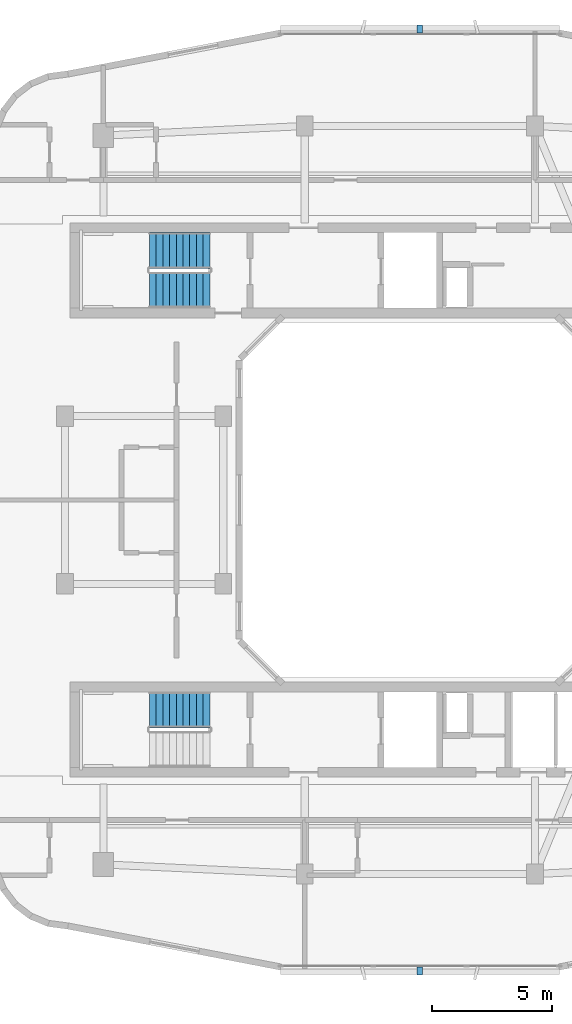
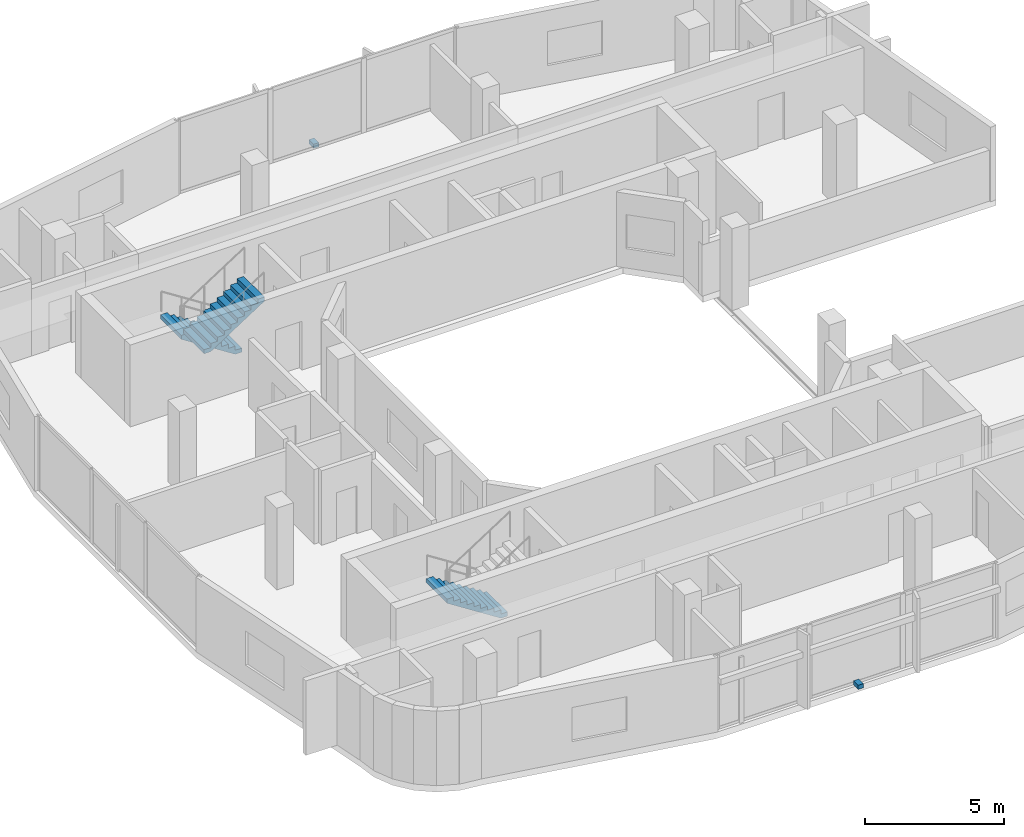
# One storey, part 8 of 12: 3 stair flights, 2 discrete accessories, 2 elements without a shape of their own.
"""IFC4 building model written with IfcOpenShell, lengths in metres."""

from ifc_helpers import new_model, si_unit, derived_unit, direction, frame, origin, origin_2d, place, context, subcontext, project, spatial, polyline, rectangle, outline, extrude, material, type_object, element, aggregate, save


model = new_model("IFC4")

# Units and contexts
model_context = context("Model", 3, precision=1e-05, world=origin(), true_north=direction((0.0, 1.0)))
body_context = subcontext(model_context, "Body", "Model", "MODEL_VIEW")
ifc_project = project(units=[si_unit("LENGTHUNIT", "METRE"), si_unit("AREAUNIT", "SQUARE_METRE"), si_unit("VOLUMEUNIT", "CUBIC_METRE"), si_unit("PLANEANGLEUNIT", "RADIAN"), si_unit("MASSUNIT", "GRAM", prefix="KILO"), derived_unit("THERMALTRANSMITTANCEUNIT", [(si_unit("POWERUNIT", "WATT"), 1), (si_unit("LENGTHUNIT", "METRE"), -2), (si_unit("THERMODYNAMICTEMPERATUREUNIT", "KELVIN"), -1)])], contexts=[model_context])

# Site, building, storey
site_placement = place(None, origin())
site = spatial("IfcSite", under=ifc_project, at=site_placement, CompositionType="ELEMENT")
building_placement = place(site_placement, origin())
building = spatial("IfcBuilding", under=site, at=building_placement, Name="Kivonza Crest Hotel", CompositionType="ELEMENT")
storey_placement = place(building_placement, frame((0.0, 0.0, 195.5)))
storey = spatial("IfcBuildingStorey", under=building, at=storey_placement, Name="L53", CompositionType="ELEMENT", Elevation=195.5)

# Stair, stair flights
ifc_material_1 = material(Name="Concrete C40/50", Category="concrete")
stair_type = type_object("IfcStairType", Name="ST-DL-20R", PredefinedType="HALF_TURN_STAIR", material=ifc_material_1)
stair_1_placement = place(storey_placement, origin())
stair_1 = element("IfcStair", 1, at=stair_1_placement, inside=storey, type_object=stair_type, Name="L53 Protected Exit Stair ST-T1-N", PredefinedType="HALF_TURN_STAIR")
stair_flight_type = type_object("IfcStairFlightType", Name="SFL-RC-10R", PredefinedType="STRAIGHT", material=ifc_material_1)
stair_flight_1_placement = place(storey_placement, frame((12.239990234375, 35.409912109375, 0.0), z_axis=(0.0, 0.0, 1.0), x_axis=(-1.0, 0.0, 0.0)))
stair_flight_1 = element("IfcStairFlight", 2, at=stair_flight_1_placement, type_object=stair_flight_type, Name="ST-T1-N flight 1", NumberOfRisers=10, NumberOfTreads=9, PredefinedType="STRAIGHT", RiserHeight=0.18, TreadLength=0.28, context=body_context, shape_type="SweptSolid", body=[
    extrude(outline(polyline([(0.0, 0.0), (0.0, 0.179931640625), (0.280029296875, 0.179931640625), (0.280029296875, 0.360107421875), (0.56005859375, 0.360107421875), (0.56005859375, 0.5400390625), (0.840087890625, 0.5400390625), (0.840087890625, 0.719970703125), (1.1201171875, 0.719970703125), (1.1201171875, 0.89990234375), (1.39990234375, 0.89990234375), (1.39990234375, 1.080078125), (1.679931640625, 1.080078125), (1.679931640625, 1.260009765625), (1.9599609375, 1.260009765625), (1.9599609375, 1.43994140625), (2.239990234375, 1.43994140625), (2.239990234375, 1.6201171875), (2.52001953125, 1.6201171875), (2.52001953125, 1.800048828125), (2.52001953125, 1.44189453125), (0.277099609375, 0.0), (0.0, 0.0)])), frame((0.0, 0.75, 0.0), z_axis=(0.0, -1.0, 0.0), x_axis=(1.0, 0.0, 0.0)), (0.0, 0.0, 1.0), 1.5),
])
stair_flight_2_placement = place(storey_placement, frame((9.719970703125, 33.77001953125, 1.800048828125), z_axis=(0.0, 0.0, 1.0), x_axis=(1.0, 0.0, 0.0)))
stair_flight_2 = element("IfcStairFlight", 3, at=stair_flight_2_placement, type_object=stair_flight_type, Name="ST-T1-N flight 2", NumberOfRisers=10, NumberOfTreads=9, PredefinedType="STRAIGHT", RiserHeight=0.18, TreadLength=0.28, context=body_context, shape_type="SweptSolid", body=[
    extrude(outline(polyline([(0.0, 0.0), (0.0, 0.179931640625), (0.280029296875, 0.179931640625), (0.280029296875, 0.360107421875), (0.56005859375, 0.360107421875), (0.56005859375, 0.5400390625), (0.840087890625, 0.5400390625), (0.840087890625, 0.719970703125), (1.1201171875, 0.719970703125), (1.1201171875, 0.89990234375), (1.39990234375, 0.89990234375), (1.39990234375, 1.080078125), (1.679931640625, 1.080078125), (1.679931640625, 1.260009765625), (1.9599609375, 1.260009765625), (1.9599609375, 1.43994140625), (2.239990234375, 1.43994140625), (2.239990234375, 1.6201171875), (2.52001953125, 1.6201171875), (2.52001953125, 1.800048828125), (2.52001953125, 1.44189453125), (0.277099609375, 0.0), (0.0, 0.0)])), frame((0.0, 0.75, 0.0), z_axis=(0.0, -1.0, 0.0), x_axis=(1.0, 0.0, 0.0)), (0.0, 0.0, 1.0), 1.5),
])
aggregate(stair_1, [stair_flight_1, stair_flight_2])

# Stair, stair flight
stair_2_placement = place(storey_placement, origin())
stair_2 = element("IfcStair", 4, at=stair_2_placement, inside=storey, type_object=stair_type, Name="L53 Protected Exit Stair ST-T1-S", PredefinedType="HALF_TURN_STAIR")
stair_flight_3_placement = place(storey_placement, frame((12.239990234375, 16.25, 0.0), z_axis=(0.0, 0.0, 1.0), x_axis=(-1.0, 0.0, 0.0)))
stair_flight_3 = element("IfcStairFlight", 5, at=stair_flight_3_placement, type_object=stair_flight_type, Name="ST-T1-S flight 1", NumberOfRisers=10, NumberOfTreads=9, PredefinedType="STRAIGHT", RiserHeight=0.18, TreadLength=0.28, context=body_context, shape_type="SweptSolid", body=[
    extrude(outline(polyline([(0.0, 0.0), (0.0, 0.179931640625), (0.280029296875, 0.179931640625), (0.280029296875, 0.360107421875), (0.56005859375, 0.360107421875), (0.56005859375, 0.5400390625), (0.840087890625, 0.5400390625), (0.840087890625, 0.719970703125), (1.1201171875, 0.719970703125), (1.1201171875, 0.89990234375), (1.39990234375, 0.89990234375), (1.39990234375, 1.080078125), (1.679931640625, 1.080078125), (1.679931640625, 1.260009765625), (1.9599609375, 1.260009765625), (1.9599609375, 1.43994140625), (2.239990234375, 1.43994140625), (2.239990234375, 1.6201171875), (2.52001953125, 1.6201171875), (2.52001953125, 1.800048828125), (2.52001953125, 1.44189453125), (0.277099609375, 0.0), (0.0, 0.0)])), frame((0.0, 0.75, 0.0), z_axis=(0.0, -1.0, 0.0), x_axis=(1.0, 0.0, 0.0)), (0.0, 0.0, 1.0), 1.5),
])
aggregate(stair_2, [stair_flight_3])

# Discrete accessories
ifc_material_2 = material(Name="Stainless steel 316", Category="steel")
discrete_accessory_type = type_object("IfcDiscreteAccessoryType", Name="AC-BRACKET-240", PredefinedType="BRACKET", material=ifc_material_2)
for number, where, z_axis, x_axis, name in (
    (6, (21.0, 5.360107421875, -0.009765625), (0.0, 0.0, 1.0), (1.0, 0.0, 0.0), "L53 terracotta baguette support bracket CW-T1-L53-08"),
    (7, (21.0, 44.639892578125, -0.009765625), (0.0, 0.0, 1.0), (-1.0, 0.0, 0.0), "L53 terracotta baguette support bracket CW-T1-L53-36"),
):
    element("IfcDiscreteAccessory", number, at=place(storey_placement, frame(where, z_axis=z_axis, x_axis=x_axis)), inside=storey, type_object=discrete_accessory_type, Name=name, PredefinedType="BRACKET", context=body_context, shape_type="SweptSolid", body=[
        extrude(rectangle(XDim=0.219970703125, YDim=0.340087890625, at=origin_2d()), origin(), (0.0, 0.0, 1.0), 0.179931640625),
    ])

save(model, "model.ifc")
